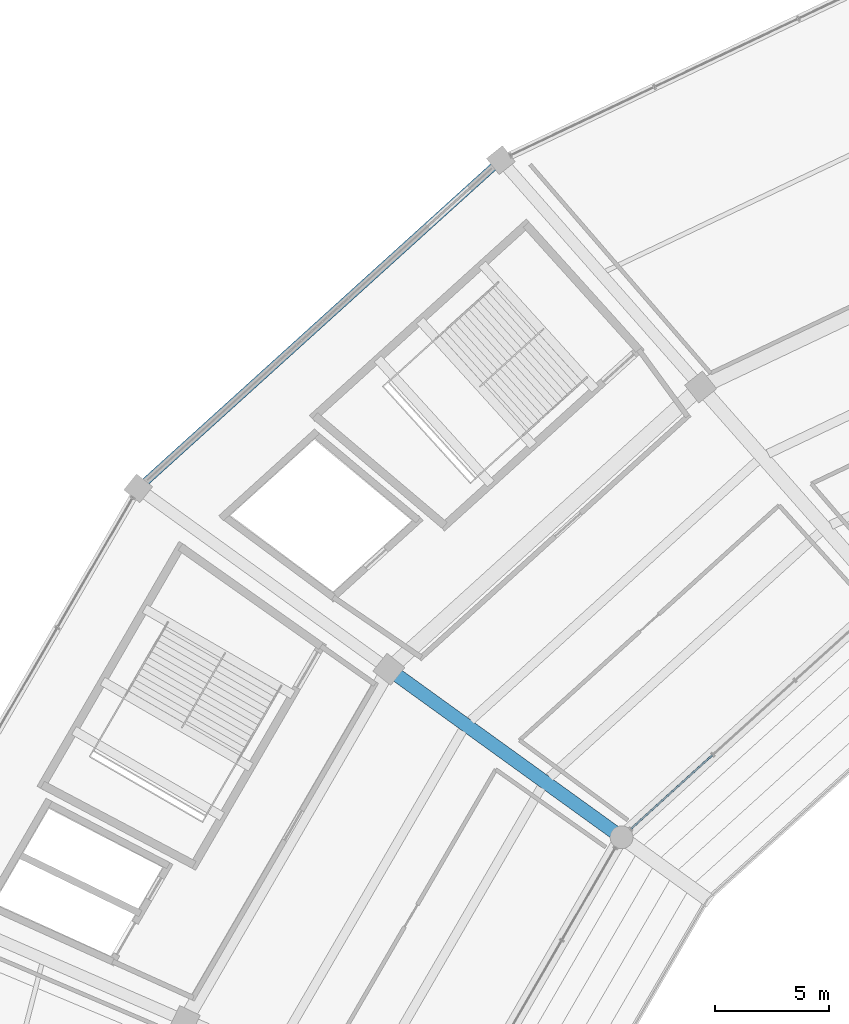
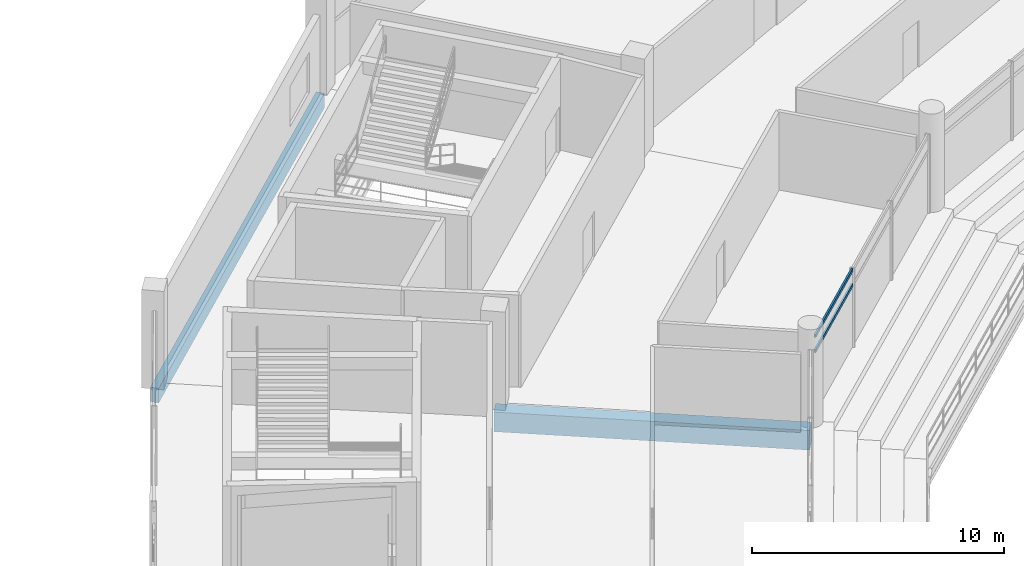
# One storey, part 78 of 171: 2 beams, 2 members, 1 element without a shape of its own.
"""IFC4 building model written with IfcOpenShell, lengths in metres."""

from ifc_helpers import new_model, si_unit, direction, frame, origin, origin_2d, place, context, subcontext, project, spatial, rectangle, hollow_rectangle, extrude, material, layer, layer_set, material_profile, profile_set, type_object, element, aggregate, save


model = new_model("IFC4")

# Units and contexts
model_context = context("Model", 3, precision=1e-05, world=origin(), true_north=direction((0.0, 1.0)))
body_context = subcontext(model_context, "Body", "Model", "MODEL_VIEW")
ifc_project = project(units=[si_unit("LENGTHUNIT", "METRE"), si_unit("AREAUNIT", "SQUARE_METRE"), si_unit("VOLUMEUNIT", "CUBIC_METRE"), si_unit("PLANEANGLEUNIT", "RADIAN"), si_unit("MASSUNIT", "GRAM", prefix="KILO")], contexts=[model_context])

# Site, building, storey
site_placement = place(None, origin())
site = spatial("IfcSite", under=ifc_project, at=site_placement, CompositionType="ELEMENT")
building_placement = place(site_placement, origin())
building = spatial("IfcBuilding", under=site, at=building_placement, Name="Kazemori Nagisa Stadium", CompositionType="ELEMENT")
storey_placement = place(building_placement, frame((0.0, 0.0, 15.639892578125)))
storey = spatial("IfcBuildingStorey", under=building, at=storey_placement, Name="L03", CompositionType="ELEMENT", Elevation=15.639892578125)

# Beams
ifc_material_1 = material(Name="Concrete C40/50 (Fc42)", Category="concrete")
ifc_material_profile_1 = material_profile(ifc_material_1, rectangle(XDim=0.60009765625, YDim=0.949951171875, at=origin_2d()), Name="RC-BM-600x950")
ifc_profile_set_1 = profile_set([ifc_material_profile_1], Name="Concrete C40/50 (Fc42)")
beam_type_1 = type_object("IfcBeamType", Name="Beam_BG-RC600X950", PredefinedType="BEAM", material=ifc_profile_set_1)
beam_1_placement = place(storey_placement, frame((65.698486328125, 143.367431640625, -0.73486328125), z_axis=(-0.810802996314, 0.585319144714, 0.0), x_axis=(-0.585319144714, -0.810802996314, 0.0)))
element("IfcBeam", 1, at=beam_1_placement, inside=storey, type_object=beam_type_1, Name="Radial girder BG-RC600X950 L03 R1-R2-12", PredefinedType="BEAM", context=body_context, shape_type="SweptSolid", body=[
    extrude(rectangle(XDim=0.60009765625, YDim=0.949951171875, at=origin_2d()), origin(), (0.0, 0.0, 1.0), 12.585693359375),
])
ifc_material_profile_2 = material_profile(ifc_material_1, rectangle(XDim=0.35009765625, YDim=0.699951171875, at=origin_2d()), Name="RC-SP-350x700")
ifc_profile_set_2 = profile_set([ifc_material_profile_2], Name="Concrete C40/50 (Fc42)")
beam_type_2 = type_object("IfcBeamType", Name="Beam_BS-RC350X700", PredefinedType="SPANDREL", material=ifc_profile_set_2)
beam_2_placement = place(storey_placement, frame((60.402099609375, 173.05908203125, -0.60986328125), z_axis=(-0.741351531326, -0.671116910084, 0.0), x_axis=(0.671116910084, -0.741351531326, 0.0)))
element("IfcBeam", 2, at=beam_2_placement, inside=storey, type_object=beam_type_2, Name="Ring girder BS-RC350X700 L03 R3-11", PredefinedType="SPANDREL", context=body_context, shape_type="SweptSolid", body=[
    extrude(rectangle(XDim=0.35009765625, YDim=0.699951171875, at=origin_2d()), origin(), (0.0, 0.0, 1.0), 21.44384765625),
])

# Curtain wall, members
ifc_material_2 = material(Name="Anodised aluminium 6063-T5", Category="aluminium")
ifc_layer = layer(ifc_material_2, 0.2099609375, Name="Anodised aluminium 6063-T5", Category="aluminium")
ifc_layer_set = layer_set([ifc_layer], Name="Anodised aluminium 6063-T5")
curtain_wall_type = type_object("IfcCurtainWallType", Name="CW_L03B_73", PredefinedType="USERDEFINED", material=ifc_layer_set)
curtain_wall_placement = place(storey_placement, origin())
curtain_wall = element("IfcCurtainWall", 3, at=curtain_wall_placement, inside=storey, type_object=curtain_wall_type, Name="Unitised curtain wall CW-L03B-73 L03", ObjectType="UNITISED CURTAIN WALL", PredefinedType="USERDEFINED")
ifc_material_3 = material(Name="Aluminium 6063-T5 anodised", Category="aluminium")
ifc_material_profile_3 = material_profile(ifc_material_3, hollow_rectangle(XDim=0.080078125, YDim=0.159912109375, WallThickness=0.00390625, at=origin_2d()), Name="ALU-TRAN-80x160x4")
ifc_profile_set_3 = profile_set([ifc_material_profile_3], Name="Aluminium 6063-T5 anodised")
member_type = type_object("IfcMemberType", Name="Transom_T02", PredefinedType="USERDEFINED", material=ifc_profile_set_3)
member_1_placement = place(storey_placement, frame((69.68408203125, 146.9755859375, 3.010009765625), z_axis=(-0.741327007297, -0.671143999639, 0.0), x_axis=(0.671143999639, -0.741327007297, 0.0)))
member_1 = element("IfcMember", 4, at=member_1_placement, type_object=member_type, Name="Curtain wall transom CW-L03B-73-T3-mid", ObjectType="TRANSOM", PredefinedType="USERDEFINED", context=body_context, shape_type="SweptSolid", body=[
    extrude(hollow_rectangle(XDim=0.080078125, YDim=0.159912109375, WallThickness=0.00390625, at=origin_2d()), origin(), (0.0, 0.0, 1.0), 4.8212890625),
])
member_2_placement = place(storey_placement, frame((69.68408203125, 146.9755859375, 3.739990234375), z_axis=(-0.741327007297, -0.671143999639, 0.0), x_axis=(0.671143999639, -0.741327007297, 0.0)))
member_2 = element("IfcMember", 5, at=member_2_placement, type_object=member_type, Name="Curtain wall transom CW-L03B-73-T3-head", ObjectType="TRANSOM", PredefinedType="USERDEFINED", context=body_context, shape_type="SweptSolid", body=[
    extrude(hollow_rectangle(XDim=0.080078125, YDim=0.159912109375, WallThickness=0.00390625, at=origin_2d()), origin(), (0.0, 0.0, 1.0), 4.8212890625),
])
aggregate(curtain_wall, [member_1, member_2])

save(model, "model.ifc")
